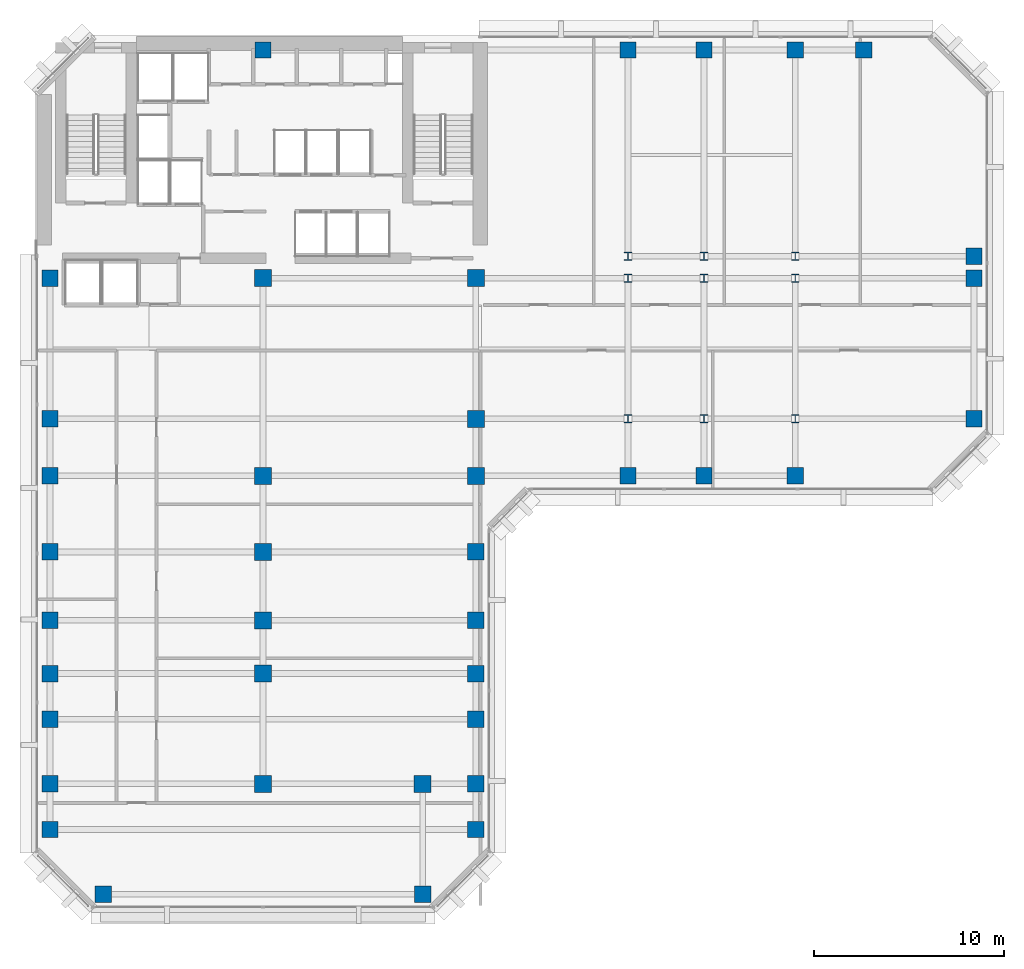
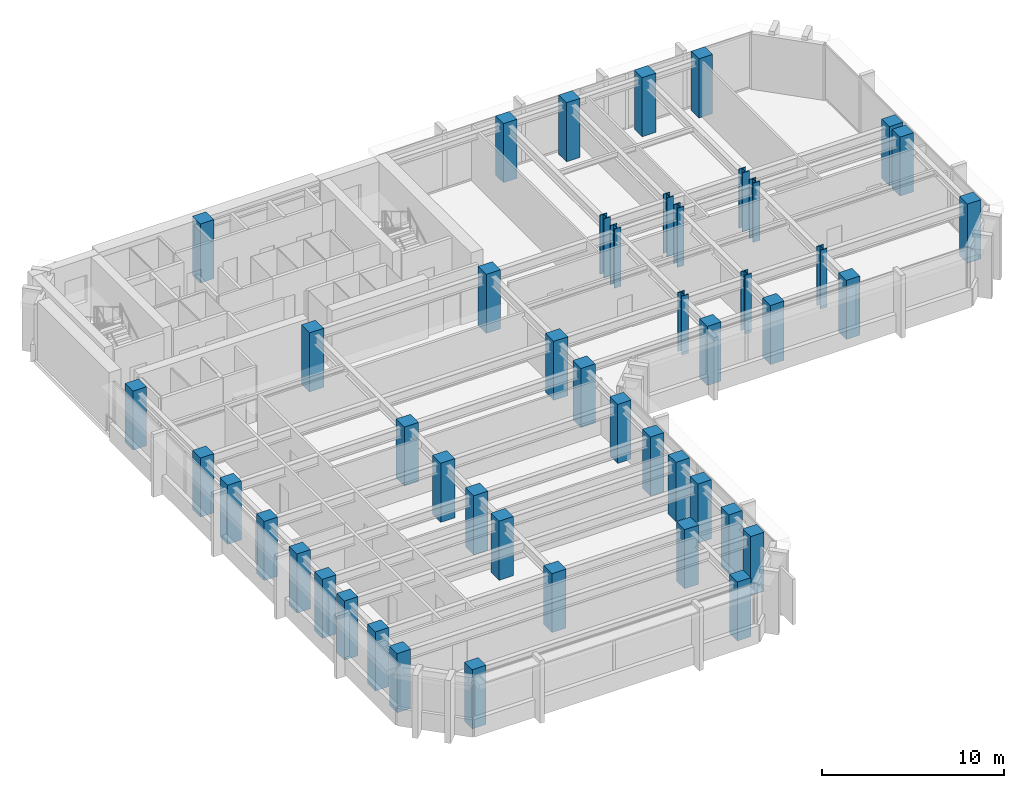
# One storey, part 1 of 11: 47 columns.
"""IFC4 building model written with IfcOpenShell, lengths in metres."""

from ifc_helpers import new_model, si_unit, direction, frame, origin, origin_2d, place, context, subcontext, project, spatial, rectangle, i_section, extrude, material, material_profile, profile_set, type_object, element, save


model = new_model("IFC4")

# Units and contexts
model_context = context("Model", 3, precision=1e-05, world=origin(), true_north=direction((0.0, 1.0)))
body_context = subcontext(model_context, "Body", "Model", "MODEL_VIEW")
ifc_project = project(units=[si_unit("LENGTHUNIT", "METRE"), si_unit("AREAUNIT", "SQUARE_METRE"), si_unit("VOLUMEUNIT", "CUBIC_METRE"), si_unit("PLANEANGLEUNIT", "RADIAN"), si_unit("MASSUNIT", "GRAM", prefix="KILO")], contexts=[model_context])

# Site, building, storey
site_placement = place(None, origin())
site = spatial("IfcSite", under=ifc_project, at=site_placement, CompositionType="ELEMENT")
building_placement = place(site_placement, origin())
building = spatial("IfcBuilding", under=site, at=building_placement, Name="Kefirva Bronze Tower", CompositionType="ELEMENT")
storey_placement = place(building_placement, frame((0.0, 0.0, 134.969970703125)))
storey = spatial("IfcBuildingStorey", under=building, at=storey_placement, Name="L32", CompositionType="ELEMENT", Elevation=134.969970703125)

# Columns
ifc_material_1 = material(Name="Concrete C60/75", Category="concrete")
ifc_material_profile_1 = material_profile(ifc_material_1, rectangle(XDim=0.860107421875, YDim=0.860107421875, at=origin_2d()), Name="RC 860x860")
ifc_profile_set_1 = profile_set([ifc_material_profile_1], Name="Concrete C60/75")
column_type_1 = type_object("IfcColumnType", Name="RC Column 860x860 Ext", PredefinedType="COLUMN", material=ifc_profile_set_1)
for number, where, z_axis, x_axis, name in (
    (1, (0.800048828125, 4.199951171875, 0.0), (0.0, 0.0, 1.0), (1.0, 0.0, 0.0), "L32 Column C008_042"),
    (2, (0.800048828125, 6.60009765625, 0.0), (0.0, 0.0, 1.0), (1.0, 0.0, 0.0), "L32 Column C008_066"),
    (3, (0.800048828125, 10.0, 0.0), (0.0, 0.0, 1.0), (1.0, 0.0, 0.0), "L32 Column C008_100"),
    (4, (0.800048828125, 12.39990234375, 0.0), (0.0, 0.0, 1.0), (1.0, 0.0, 0.0), "L32 Column C008_124"),
    (5, (0.800048828125, 15.199951171875, 0.0), (0.0, 0.0, 1.0), (1.0, 0.0, 0.0), "L32 Column C008_152"),
    (6, (0.800048828125, 18.800048828125, 0.0), (0.0, 0.0, 1.0), (1.0, 0.0, 0.0), "L32 Column C008_188"),
    (7, (0.800048828125, 22.800048828125, 0.0), (0.0, 0.0, 1.0), (1.0, 0.0, 0.0), "L32 Column C008_228"),
    (8, (0.800048828125, 25.800048828125, 0.0), (0.0, 0.0, 1.0), (1.0, 0.0, 0.0), "L32 Column C008_258"),
    (9, (0.800048828125, 33.199951171875, 0.0), (0.0, 0.0, 1.0), (1.0, 0.0, 0.0), "L32 Column C008_332"),
    (10, (3.60009765625, 0.800048828125, 0.0), (0.0, 0.0, 1.0), (1.0, 0.0, 0.0), "L32 Column C036_008"),
    (11, (12.0, 45.199951171875, 0.0), (0.0, 0.0, 1.0), (1.0, 0.0, 0.0), "L32 Column C120_452"),
    (12, (20.39990234375, 0.800048828125, 0.0), (0.0, 0.0, 1.0), (1.0, 0.0, 0.0), "L32 Column C204_008"),
    (13, (23.199951171875, 4.199951171875, 0.0), (0.0, 0.0, 1.0), (1.0, 0.0, 0.0), "L32 Column C232_042"),
    (14, (23.199951171875, 6.60009765625, 0.0), (0.0, 0.0, 1.0), (1.0, 0.0, 0.0), "L32 Column C232_066"),
    (15, (23.199951171875, 10.0, 0.0), (0.0, 0.0, 1.0), (1.0, 0.0, 0.0), "L32 Column C232_100"),
    (16, (23.199951171875, 12.39990234375, 0.0), (0.0, 0.0, 1.0), (1.0, 0.0, 0.0), "L32 Column C232_124"),
    (17, (23.199951171875, 15.199951171875, 0.0), (0.0, 0.0, 1.0), (1.0, 0.0, 0.0), "L32 Column C232_152"),
    (18, (23.199951171875, 18.800048828125, 0.0), (0.0, 0.0, 1.0), (1.0, 0.0, 0.0), "L32 Column C232_188"),
    (19, (31.199951171875, 22.800048828125, 0.0), (0.0, 0.0, 1.0), (1.0, 0.0, 0.0), "L32 Column C312_228"),
    (20, (31.199951171875, 45.199951171875, 0.0), (0.0, 0.0, 1.0), (1.0, 0.0, 0.0), "L32 Column C312_452"),
    (21, (35.199951171875, 22.800048828125, 0.0), (0.0, 0.0, 1.0), (1.0, 0.0, 0.0), "L32 Column C352_228"),
    (22, (35.199951171875, 45.199951171875, 0.0), (0.0, 0.0, 1.0), (1.0, 0.0, 0.0), "L32 Column C352_452"),
    (23, (40.0, 22.800048828125, 0.0), (0.0, 0.0, 1.0), (1.0, 0.0, 0.0), "L32 Column C400_228"),
    (24, (40.0, 45.199951171875, 0.0), (0.0, 0.0, 1.0), (1.0, 0.0, 0.0), "L32 Column C400_452"),
    (25, (43.60009765625, 45.199951171875, 0.0), (0.0, 0.0, 1.0), (1.0, 0.0, 0.0), "L32 Column C436_452"),
    (26, (49.39990234375, 25.800048828125, 0.0), (0.0, 0.0, 1.0), (1.0, 0.0, 0.0), "L32 Column C494_258"),
    (27, (49.39990234375, 33.199951171875, 0.0), (0.0, 0.0, 1.0), (1.0, 0.0, 0.0), "L32 Column C494_332"),
    (28, (49.39990234375, 34.35009765625, 0.0), (0.0, 0.0, 1.0), (1.0, 0.0, 0.0), "L32 Column C494_344"),
):
    element("IfcColumn", number, at=place(storey_placement, frame(where, z_axis=z_axis, x_axis=x_axis)), inside=storey, type_object=column_type_1, Name=name, PredefinedType="COLUMN", context=body_context, shape_type="SweptSolid", body=[
        extrude(rectangle(XDim=0.860107421875, YDim=0.860107421875, at=origin_2d()), origin(), (0.0, 0.0, 1.0), 3.9599609375),
    ])
ifc_material_profile_2 = material_profile(ifc_material_1, rectangle(XDim=0.89990234375, YDim=0.89990234375, at=origin_2d()), Name="RC 900x900")
ifc_profile_set_2 = profile_set([ifc_material_profile_2], Name="Concrete C60/75")
column_type_2 = type_object("IfcColumnType", Name="RC Column 900x900 Int", PredefinedType="COLUMN", material=ifc_profile_set_2)
for number, where, z_axis, x_axis, name in (
    (29, (12.0, 6.60009765625, 0.0), (0.0, 0.0, 1.0), (1.0, 0.0, 0.0), "L32 Column C120_066"),
    (30, (12.0, 12.39990234375, 0.0), (0.0, 0.0, 1.0), (1.0, 0.0, 0.0), "L32 Column C120_124"),
    (31, (12.0, 15.199951171875, 0.0), (0.0, 0.0, 1.0), (1.0, 0.0, 0.0), "L32 Column C120_152"),
    (32, (12.0, 18.800048828125, 0.0), (0.0, 0.0, 1.0), (1.0, 0.0, 0.0), "L32 Column C120_188"),
    (33, (12.0, 22.800048828125, 0.0), (0.0, 0.0, 1.0), (1.0, 0.0, 0.0), "L32 Column C120_228"),
    (34, (12.0, 33.199951171875, 0.0), (0.0, 0.0, 1.0), (1.0, 0.0, 0.0), "L32 Column C120_332"),
    (35, (20.39990234375, 6.60009765625, 0.0), (0.0, 0.0, 1.0), (1.0, 0.0, 0.0), "L32 Column C204_066"),
    (36, (23.199951171875, 22.800048828125, 0.0), (0.0, 0.0, 1.0), (1.0, 0.0, 0.0), "L32 Column C232_228"),
    (37, (23.199951171875, 25.800048828125, 0.0), (0.0, 0.0, 1.0), (1.0, 0.0, 0.0), "L32 Column C232_258"),
    (38, (23.199951171875, 33.199951171875, 0.0), (0.0, 0.0, 1.0), (1.0, 0.0, 0.0), "L32 Column C232_332"),
):
    element("IfcColumn", number, at=place(storey_placement, frame(where, z_axis=z_axis, x_axis=x_axis)), inside=storey, type_object=column_type_2, Name=name, PredefinedType="COLUMN", context=body_context, shape_type="SweptSolid", body=[
        extrude(rectangle(XDim=0.89990234375, YDim=0.89990234375, at=origin_2d()), origin(), (0.0, 0.0, 1.0), 3.9599609375),
    ])
ifc_material_2 = material(Name="Steel S460", Category="steel")
ifc_material_profile_3 = material_profile(ifc_material_2, i_section(OverallWidth=0.41796875, OverallDepth=0.455078125, WebThickness=0.031982421875, FlangeThickness=0.051025390625, at=origin_2d()), Name="HD 400x551")
ifc_profile_set_3 = profile_set([ifc_material_profile_3], Name="Steel S460")
column_type_3 = type_object("IfcColumnType", Name="Steel Column HD 400x551", PredefinedType="COLUMN", material=ifc_profile_set_3)
for number, where, z_axis, x_axis, name in (
    (39, (31.199951171875, 25.800048828125, 0.0), (0.0, 0.0, 1.0), (1.0, 0.0, 0.0), "L32 Column C312_258"),
    (40, (31.199951171875, 33.199951171875, 0.0), (0.0, 0.0, 1.0), (1.0, 0.0, 0.0), "L32 Column C312_332"),
    (41, (31.199951171875, 34.35009765625, 0.0), (0.0, 0.0, 1.0), (1.0, 0.0, 0.0), "L32 Column C312_344"),
    (42, (35.199951171875, 25.800048828125, 0.0), (0.0, 0.0, 1.0), (1.0, 0.0, 0.0), "L32 Column C352_258"),
    (43, (35.199951171875, 33.199951171875, 0.0), (0.0, 0.0, 1.0), (1.0, 0.0, 0.0), "L32 Column C352_332"),
    (44, (35.199951171875, 34.35009765625, 0.0), (0.0, 0.0, 1.0), (1.0, 0.0, 0.0), "L32 Column C352_344"),
    (45, (40.0, 25.800048828125, 0.0), (0.0, 0.0, 1.0), (1.0, 0.0, 0.0), "L32 Column C400_258"),
    (46, (40.0, 33.199951171875, 0.0), (0.0, 0.0, 1.0), (1.0, 0.0, 0.0), "L32 Column C400_332"),
    (47, (40.0, 34.35009765625, 0.0), (0.0, 0.0, 1.0), (1.0, 0.0, 0.0), "L32 Column C400_344"),
):
    element("IfcColumn", number, at=place(storey_placement, frame(where, z_axis=z_axis, x_axis=x_axis)), inside=storey, type_object=column_type_3, Name=name, PredefinedType="COLUMN", context=body_context, shape_type="SweptSolid", body=[
        extrude(i_section(OverallWidth=0.41796875, OverallDepth=0.455078125, WebThickness=0.031982421875, FlangeThickness=0.051025390625, at=origin_2d()), origin(), (0.0, 0.0, 1.0), 3.9599609375),
    ])

save(model, "model.ifc")
